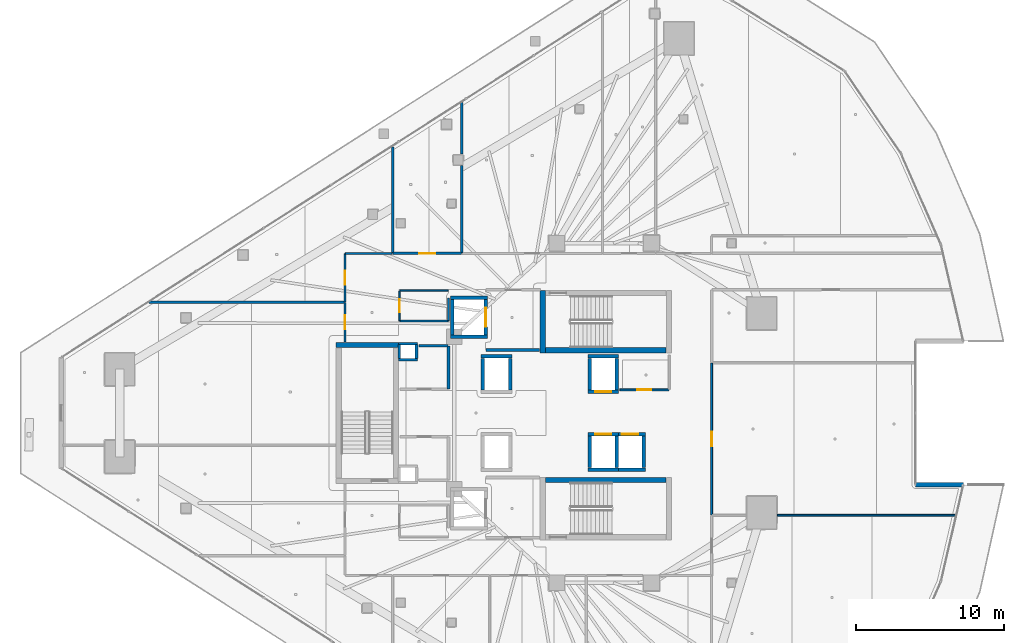
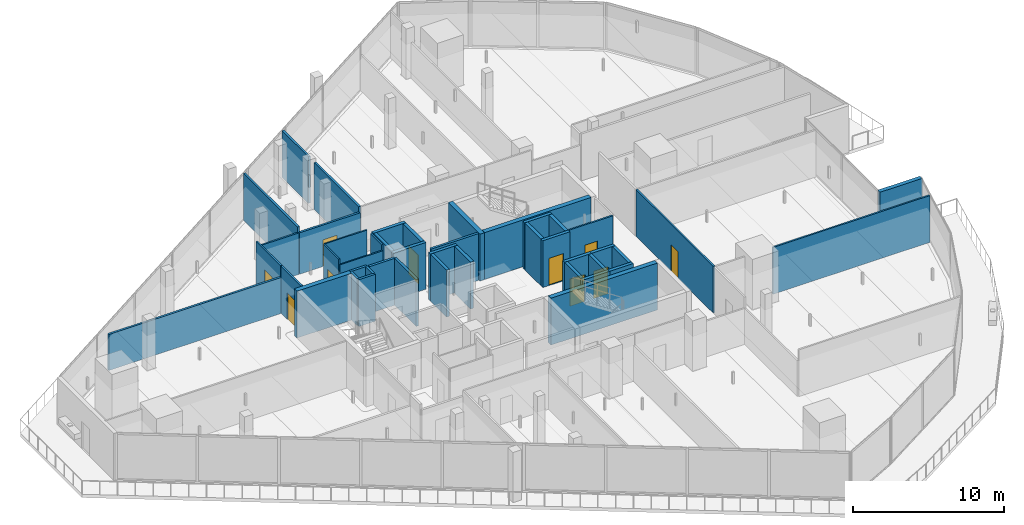
# One storey, part 25 of 38: 45 walls, 10 doors, 10 openings.
"""IFC4 building model written with IfcOpenShell, lengths in metres."""

from ifc_helpers import new_model, si_unit, direction, frame, frame_2d, origin, place, context, subcontext, project, spatial, rectangle, extrude, material, layer, layer_set, type_object, element, fill, save


model = new_model("IFC4")

# Units and contexts
model_context = context("Model", 3, precision=1e-05, world=origin(), true_north=direction((0.0, 1.0)))
body_context = subcontext(model_context, "Body", "Model", "MODEL_VIEW")
ifc_project = project(units=[si_unit("LENGTHUNIT", "METRE"), si_unit("AREAUNIT", "SQUARE_METRE"), si_unit("VOLUMEUNIT", "CUBIC_METRE"), si_unit("PLANEANGLEUNIT", "RADIAN"), si_unit("MASSUNIT", "GRAM", prefix="KILO")], contexts=[model_context])

# Site, building, storey
site_placement = place(None, origin())
site = spatial("IfcSite", under=ifc_project, at=site_placement, CompositionType="ELEMENT")
building_placement = place(site_placement, origin())
building = spatial("IfcBuilding", under=site, at=building_placement, Name="Qorvath Tower", CompositionType="ELEMENT")
storey_placement = place(building_placement, frame((0.0, 0.0, 146.25)))
storey = spatial("IfcBuildingStorey", under=building, at=storey_placement, Name="L33", CompositionType="ELEMENT", Elevation=146.25)

# Walls
ifc_material_1 = material(Name="Gypsum shaftliner on steel studs", Category="steel")
ifc_layer_1 = layer(ifc_material_1, 0.179931640625)
ifc_layer_set_1 = layer_set([ifc_layer_1], Name="FW-LOBBY")
wall_type_1 = type_object("IfcWallType", Name="FW-LOBBY", PredefinedType="PARTITIONING", material=ifc_layer_set_1)
for number, where, z_axis, x_axis, name in (
    (1, (-32.989990234375, 3.594970703125, 0.0), (0.0, 0.0, 1.0), (-1.0, 0.0, 0.0), "MEP Riser Shaft Enclosure Wall N-L33-S"),
    (2, (-34.260009765625, 4.675048828125, 0.0), (0.0, 0.0, 1.0), (1.0, 0.0, 0.0), "MEP Riser Shaft Enclosure Wall N-L33-N"),
):
    element("IfcWall", number, at=place(storey_placement, frame(where, z_axis=z_axis, x_axis=x_axis)), inside=storey, type_object=wall_type_1, Name=name, PredefinedType="PARTITIONING", context=body_context, shape_type="SweptSolid", body=[
        extrude(rectangle(XDim=1.27001953125, YDim=0.179931640625, at=frame_2d((0.635009765625, 0.0))), origin(), (0.0, 0.0, 1.0), 3.780029296875),
    ])
for number, where, z_axis, x_axis, name in (
    (3, (-34.205078125, 3.659912109375, 0.0), (0.0, 0.0, 1.0), (0.0, 1.0, 0.0), "MEP Riser Shaft Enclosure Wall N-L33-W"),
    (4, (-33.044921875, 4.610107421875, 0.0), (0.0, 0.0, 1.0), (0.0, -1.0, 0.0), "MEP Riser Shaft Enclosure Wall N-L33-E"),
):
    element("IfcWall", number, at=place(storey_placement, frame(where, z_axis=z_axis, x_axis=x_axis)), inside=storey, type_object=wall_type_1, Name=name, PredefinedType="PARTITIONING", context=body_context, shape_type="SweptSolid", body=[
        extrude(rectangle(XDim=0.9501953125, YDim=0.179931640625, at=frame_2d((0.47509765625, 0.0))), origin(), (0.0, 0.0, 1.0), 3.780029296875),
    ])
wall_1_placement = place(storey_placement, frame((-28.35498046875, 4.25, 0.0), z_axis=(0.0, 0.0, 1.0), x_axis=(1.0, 0.0, 0.0)))
element("IfcWall", 5, at=wall_1_placement, inside=storey, type_object=wall_type_1, Name="Interior Partition IW-T1-L33-001", PredefinedType="PARTITIONING", context=body_context, shape_type="SweptSolid", body=[
    extrude(rectangle(XDim=3.6220703125, YDim=0.179931640625, at=frame_2d((1.81103515625, 0.0))), origin(), (0.0, 0.0, 1.0), 3.780029296875),
])
wall_2_placement = place(storey_placement, frame((-30.8798828125, 1.625, 0.0), z_axis=(0.0, 0.0, 1.0), x_axis=(0.0, 1.0, 0.0)))
element("IfcWall", 6, at=wall_2_placement, inside=storey, type_object=wall_type_1, Name="Interior Partition IW-T1-L33-016", PredefinedType="PARTITIONING", context=body_context, shape_type="SweptSolid", body=[
    extrude(rectangle(XDim=2.889892578125, YDim=0.179931640625, at=frame_2d((1.44482421875, 0.0))), origin(), (0.0, 0.0, 1.0), 3.780029296875),
])
wall_3_placement = place(storey_placement, frame((-30.90478515625, 4.5400390625, 0.0), z_axis=(0.0, 0.0, 1.0), x_axis=(-1.0, 0.0, 0.0)))
element("IfcWall", 7, at=wall_3_placement, inside=storey, type_object=wall_type_1, Name="Interior Partition IW-T1-L33-017", PredefinedType="PARTITIONING", context=body_context, shape_type="SweptSolid", body=[
    extrude(rectangle(XDim=1.97509765625, YDim=0.179931640625, at=frame_2d((0.987548828125, 0.0))), origin(), (0.0, 0.0, 1.0), 3.780029296875),
])

# Wall, opening, door
ifc_material_2 = material(Name="Double acoustic gypsum board on steel studs", Category="steel")
ifc_layer_2 = layer(ifc_material_2, 0.159912109375)
ifc_layer_set_2 = layer_set([ifc_layer_2], Name="IW-ACOUSTIC-160")
wall_type_2 = type_object("IfcWallType", Name="IW-ACOUSTIC-160", PredefinedType="PARTITIONING", material=ifc_layer_set_2)
wall_4_placement = place(storey_placement, frame((-34.625, 10.758056640625, 0.0), z_axis=(0.0, 0.0, 1.0), x_axis=(1.0, 0.0, 0.0)))
wall_4 = element("IfcWall", 8, at=wall_4_placement, inside=storey, type_object=wall_type_2, Name="Interior Partition IW-T1-L33-021", PredefinedType="PARTITIONING", context=body_context, shape_type="SweptSolid", body=[
    extrude(rectangle(XDim=4.62109375, YDim=0.159912109375, at=frame_2d((2.310546875, 0.0))), origin(), (0.0, 0.0, 1.0), 3.34375),
])
opening_1_placement = place(wall_4_placement, frame((1.760498046875, 0.0, 0.0)))
opening_1 = element("IfcOpeningElement", 9, at=opening_1_placement, cuts=wall_4, Name="Opening D-T1-L33-06", PredefinedType="OPENING", context=body_context, shape_type="SweptSolid", body=[
    extrude(rectangle(XDim=1.10009765625, YDim=2.14990234375, at=frame_2d((0.550048828125, 1.074951171875))), frame((0.0, 0.08984375, 0.0), z_axis=(0.0, -1.0, 0.0), x_axis=(1.0, 0.0, 0.0)), (0.0, 0.0, 1.0), 0.179931640625),
])
ifc_material_3 = material(Name="Anodised aluminium acoustic framed glass", Category="aluminium")
door_type_1 = type_object("IfcDoorType", Name="D-03", OperationType="NOTDEFINED", PredefinedType="DOOR", material=ifc_material_3)
door_1_placement = place(opening_1_placement, origin())
door_1 = element("IfcDoor", 10, at=door_1_placement, inside=storey, type_object=door_type_1, Name="L33-01 Client Services Office Door D-T1-L33-06", OperationType="SINGLE_SWING_RIGHT", OverallHeight=2.14990234375, OverallWidth=1.10009765625, PredefinedType="DOOR", context=body_context, shape_type="SweptSolid", body=[
    extrude(rectangle(XDim=1.10009765625, YDim=2.14990234375, at=frame_2d((0.550048828125, 1.074951171875))), frame((0.0, 0.02490234375, 0.0), z_axis=(0.0, -1.0, 0.0), x_axis=(1.0, 0.0, 0.0)), (0.0, 0.0, 1.0), 0.050048828125),
])
fill(opening_1, door_1)

# Walls
wall_5_placement = place(storey_placement, frame((-29.97900390625, 10.783203125, 0.0), z_axis=(0.0, 0.0, 1.0), x_axis=(0.0, 1.0, 0.0)))
element("IfcWall", 11, at=wall_5_placement, inside=storey, type_object=wall_type_2, Name="Interior Partition IW-T1-L33-022", PredefinedType="PARTITIONING", context=body_context, shape_type="SweptSolid", body=[
    extrude(rectangle(XDim=5.886474609375, YDim=0.159912109375, at=frame_2d((2.943359375, 0.0))), origin(), (0.0, 0.0, 1.0), 3.780029296875),
])
wall_6_placement = place(storey_placement, frame((-29.97900390625, 17.44970703125, 0.0), z_axis=(0.0, 0.0, 1.0), x_axis=(0.0, 1.0, 0.0)))
element("IfcWall", 12, at=wall_6_placement, inside=storey, type_object=wall_type_2, Name="Interior Partition IW-T1-L33-023", PredefinedType="PARTITIONING", context=body_context, shape_type="SweptSolid", body=[
    extrude(rectangle(XDim=3.47021484375, YDim=0.159912109375, at=frame_2d((1.735107421875, 0.0))), origin(), (0.0, 0.0, 1.0), 3.780029296875),
])
wall_7_placement = place(storey_placement, frame((-34.64990234375, 17.9345703125, 0.0), z_axis=(0.0, 0.0, 1.0), x_axis=(0.0, -1.0, 0.0)))
element("IfcWall", 13, at=wall_7_placement, inside=storey, type_object=wall_type_2, Name="Interior Partition IW-T1-L33-024", PredefinedType="PARTITIONING", context=body_context, shape_type="SweptSolid", body=[
    extrude(rectangle(XDim=7.1513671875, YDim=0.159912109375, at=frame_2d((3.57568359375, 0.0))), origin(), (0.0, 0.0, 1.0), 3.780029296875),
])

# Wall, opening, door
wall_8_placement = place(storey_placement, frame((-37.85791015625, 4.783203125, 0.0), z_axis=(0.0, 0.0, 1.0), x_axis=(0.0, 1.0, 0.0)))
wall_8 = element("IfcWall", 14, at=wall_8_placement, inside=storey, type_object=wall_type_2, Name="Interior Partition IW-T1-L33-057", PredefinedType="PARTITIONING", context=body_context, shape_type="SweptSolid", body=[
    extrude(rectangle(XDim=2.6513671875, YDim=0.159912109375, at=frame_2d((1.32568359375, 0.0))), origin(), (0.0, 0.0, 1.0), 3.780029296875),
])
opening_2_placement = place(wall_8_placement, frame((0.8505859375, 0.0, 0.0)))
opening_2 = element("IfcOpeningElement", 15, at=opening_2_placement, cuts=wall_8, Name="Opening D-T1-L33-18", PredefinedType="OPENING", context=body_context, shape_type="SweptSolid", body=[
    extrude(rectangle(XDim=0.949951171875, YDim=2.14990234375, at=frame_2d((0.47509765625, 1.074951171875))), frame((0.0, 0.08984375, 0.0), z_axis=(0.0, -1.0, 0.0), x_axis=(1.0, 0.0, 0.0)), (0.0, 0.0, 1.0), 0.179931640625),
])
ifc_material_4 = material(Name="Solid-core American white oak veneer", Category="wood")
door_type_2 = type_object("IfcDoorType", Name="D-01", OperationType="NOTDEFINED", PredefinedType="DOOR", material=ifc_material_4)
door_2_placement = place(opening_2_placement, origin())
door_2 = element("IfcDoor", 16, at=door_2_placement, inside=storey, type_object=door_type_2, Name="L33-13 Staff Wellness Studio Door D-T1-L33-18", OperationType="SINGLE_SWING_RIGHT", OverallHeight=2.14990234375, OverallWidth=0.949951171875, PredefinedType="DOOR", context=body_context, shape_type="SweptSolid", body=[
    extrude(rectangle(XDim=0.949951171875, YDim=2.14990234375, at=frame_2d((0.47509765625, 1.074951171875))), frame((0.0, 0.02490234375, 0.0), z_axis=(0.0, -1.0, 0.0), x_axis=(1.0, 0.0, 0.0)), (0.0, 0.0, 1.0), 0.050048828125),
])
fill(opening_2, door_2)

# Wall
wall_9_placement = place(storey_placement, frame((-37.8828125, 7.45947265625, 0.0), z_axis=(0.0, 0.0, 1.0), x_axis=(-1.0, 0.0, 0.0)))
element("IfcWall", 17, at=wall_9_placement, inside=storey, type_object=wall_type_2, Name="Interior Partition IW-T1-L33-058", PredefinedType="PARTITIONING", context=body_context, shape_type="SweptSolid", body=[
    extrude(rectangle(XDim=13.201904296875, YDim=0.159912109375, at=frame_2d((6.60107421875, 0.0))), origin(), (0.0, 0.0, 1.0), 2.89990234375),
])

# Wall, opening, door
ifc_material_5 = material(Name="Gypsum board on metal studs with mineral wool", Category="gypsum")
ifc_layer_3 = layer(ifc_material_5, 0.125)
ifc_layer_set_3 = layer_set([ifc_layer_3], Name="IW-PART-125")
wall_type_3 = type_object("IfcWallType", Name="IW-PART-125", PredefinedType="PARTITIONING", material=ifc_layer_set_3)
wall_10_placement = place(storey_placement, frame((-19.333740234375, 1.56005859375, 0.0), z_axis=(0.0, 0.0, 1.0), x_axis=(1.0, 0.0, 0.0)))
wall_10 = element("IfcWall", 18, at=wall_10_placement, inside=storey, type_object=wall_type_3, Name="Interior Partition IW-T1-L33-013", PredefinedType="PARTITIONING", context=body_context, shape_type="SweptSolid", body=[
    extrude(rectangle(XDim=3.308837890625, YDim=0.125, at=frame_2d((1.654296875, 0.0))), origin(), (0.0, 0.0, 1.0), 3.780029296875),
])
opening_3_placement = place(wall_10_placement, frame((1.179443359375, 0.0, 0.0)))
opening_3 = element("IfcOpeningElement", 19, at=opening_3_placement, cuts=wall_10, Name="Opening D-T1-L33-03", PredefinedType="OPENING", context=body_context, shape_type="SweptSolid", body=[
    extrude(rectangle(XDim=0.949951171875, YDim=2.14990234375, at=frame_2d((0.47509765625, 1.074951171875))), frame((0.0, 0.072509765625, 0.0), z_axis=(0.0, -1.0, 0.0), x_axis=(1.0, 0.0, 0.0)), (0.0, 0.0, 1.0), 0.14501953125),
])
door_3_placement = place(opening_3_placement, origin())
door_3 = element("IfcDoor", 20, at=door_3_placement, inside=storey, type_object=door_type_2, Name="L33-RCN North Staff Refreshment Pantry Door D-T1-L33-03", OperationType="SINGLE_SWING_LEFT", OverallHeight=2.14990234375, OverallWidth=0.949951171875, PredefinedType="DOOR", context=body_context, shape_type="SweptSolid", body=[
    extrude(rectangle(XDim=0.949951171875, YDim=2.14990234375, at=frame_2d((0.47509765625, 1.074951171875))), frame((0.0, 0.02490234375, 0.0), z_axis=(0.0, -1.0, 0.0), x_axis=(1.0, 0.0, 0.0)), (0.0, 0.0, 1.0), 0.050048828125),
])
fill(opening_3, door_3)

# Wall
wall_11_placement = place(storey_placement, frame((3.270751953125, -6.896728515625, 0.0), z_axis=(0.0, 0.0, 1.0), x_axis=(-1.0, 0.0, 0.0)))
element("IfcWall", 21, at=wall_11_placement, inside=storey, type_object=wall_type_3, Name="Interior Partition IW-T1-L33-043", PredefinedType="PARTITIONING", context=body_context, shape_type="SweptSolid", body=[
    extrude(rectangle(XDim=11.97607421875, YDim=0.125, at=frame_2d((5.988037109375, 0.0))), origin(), (0.0, 0.0, 1.0), 3.780029296875),
])

# Wall, opening, door
wall_12_placement = place(storey_placement, frame((-13.14208984375, 3.35791015625, 0.0), z_axis=(0.0, 0.0, 1.0), x_axis=(0.0, -1.0, 0.0)))
wall_12 = element("IfcWall", 22, at=wall_12_placement, inside=storey, type_object=wall_type_3, Name="Interior Partition IW-T1-L33-047", PredefinedType="PARTITIONING", context=body_context, shape_type="SweptSolid", body=[
    extrude(rectangle(XDim=10.221923828125, YDim=0.125, at=frame_2d((5.11083984375, 0.0))), origin(), (0.0, 0.0, 1.0), 3.780029296875),
])
opening_4_placement = place(wall_12_placement, frame((4.635986328125, 0.0, 0.0)))
opening_4 = element("IfcOpeningElement", 23, at=opening_4_placement, cuts=wall_12, Name="Opening D-T1-L33-14", PredefinedType="OPENING", context=body_context, shape_type="SweptSolid", body=[
    extrude(rectangle(XDim=0.949951171875, YDim=2.14990234375, at=frame_2d((0.47509765625, 1.074951171875))), frame((0.0, 0.072509765625, 0.0), z_axis=(0.0, -1.0, 0.0), x_axis=(1.0, 0.0, 0.0)), (0.0, 0.0, 1.0), 0.14501953125),
])
door_4_placement = place(opening_4_placement, origin())
door_4 = element("IfcDoor", 24, at=door_4_placement, inside=storey, type_object=door_type_2, Name="L33-09 Open Workplace Studio Door D-T1-L33-14", OperationType="SINGLE_SWING_RIGHT", OverallHeight=2.14990234375, OverallWidth=0.949951171875, PredefinedType="DOOR", context=body_context, shape_type="SweptSolid", body=[
    extrude(rectangle(XDim=0.949951171875, YDim=2.14990234375, at=frame_2d((0.47509765625, 1.074951171875))), frame((0.0, 0.02490234375, 0.0), z_axis=(0.0, -1.0, 0.0), x_axis=(1.0, 0.0, 0.0)), (0.0, 0.0, 1.0), 0.050048828125),
])
fill(opening_4, door_4)

wall_13_placement = place(storey_placement, frame((-37.85791015625, 7.492431640625, 0.0), z_axis=(0.0, 0.0, 1.0), x_axis=(0.0, 1.0, 0.0)))
wall_13 = element("IfcWall", 25, at=wall_13_placement, inside=storey, type_object=wall_type_3, Name="Interior Partition IW-T1-L33-059", PredefinedType="PARTITIONING", context=body_context, shape_type="SweptSolid", body=[
    extrude(rectangle(XDim=3.24072265625, YDim=0.125, at=frame_2d((1.620361328125, 0.0))), origin(), (0.0, 0.0, 1.0), 3.780029296875),
])
opening_5_placement = place(wall_13_placement, frame((1.1455078125, 0.0, 0.0)))
opening_5 = element("IfcOpeningElement", 26, at=opening_5_placement, cuts=wall_13, Name="Opening D-T1-L33-19", PredefinedType="OPENING", context=body_context, shape_type="SweptSolid", body=[
    extrude(rectangle(XDim=0.949951171875, YDim=2.14990234375, at=frame_2d((0.47509765625, 1.074951171875))), frame((0.0, 0.072509765625, 0.0), z_axis=(0.0, -1.0, 0.0), x_axis=(1.0, 0.0, 0.0)), (0.0, 0.0, 1.0), 0.14501953125),
])
door_5_placement = place(opening_5_placement, origin())
door_5 = element("IfcDoor", 27, at=door_5_placement, inside=storey, type_object=door_type_2, Name="L33-14 Design Pin-Up Atelier Door D-T1-L33-19", OperationType="SINGLE_SWING_LEFT", OverallHeight=2.14990234375, OverallWidth=0.949951171875, PredefinedType="DOOR", context=body_context, shape_type="SweptSolid", body=[
    extrude(rectangle(XDim=0.949951171875, YDim=2.14990234375, at=frame_2d((0.47509765625, 1.074951171875))), frame((0.0, 0.02490234375, 0.0), z_axis=(0.0, -1.0, 0.0), x_axis=(1.0, 0.0, 0.0)), (0.0, 0.0, 1.0), 0.050048828125),
])
fill(opening_5, door_5)

# Wall
wall_14_placement = place(storey_placement, frame((-37.8330078125, 10.758056640625, 0.0), z_axis=(0.0, 0.0, 1.0), x_axis=(1.0, 0.0, 0.0)))
element("IfcWall", 28, at=wall_14_placement, inside=storey, type_object=wall_type_3, Name="Interior Partition IW-T1-L33-060", PredefinedType="PARTITIONING", context=body_context, shape_type="SweptSolid", body=[
    extrude(rectangle(XDim=3.14990234375, YDim=0.125, at=frame_2d((1.574951171875, 0.0))), origin(), (0.0, 0.0, 1.0), 3.34375),
])

# Wall, opening, door
ifc_material_6 = material(Name="Moisture-resistant cement board on metal studs", Category="gypsum")
ifc_layer_4 = layer(ifc_material_6, 0.110107421875)
ifc_layer_set_4 = layer_set([ifc_layer_4], Name="IW-WC-110")
wall_type_4 = type_object("IfcWallType", Name="IW-WC-110", PredefinedType="PARTITIONING", material=ifc_layer_set_4)
wall_15_placement = place(storey_placement, frame((-34.179931640625, 8.22509765625, 0.0), z_axis=(0.0, 0.0, 1.0), x_axis=(0.0, -1.0, 0.0)))
wall_15 = element("IfcWall", 29, at=wall_15_placement, inside=storey, type_object=wall_type_4, Name="Interior Partition IW-T1-L33-005", PredefinedType="PARTITIONING", context=body_context, shape_type="SweptSolid", body=[
    extrude(rectangle(XDim=2.0, YDim=0.110107421875, at=frame_2d((1.0, 0.0))), origin(), (0.0, 0.0, 1.0), 3.780029296875),
])
opening_6_placement = place(wall_15_placement, frame((0.56005859375, 0.0, 0.0)))
opening_6 = element("IfcOpeningElement", 30, at=opening_6_placement, cuts=wall_15, Name="Opening D-T1-L33-01", PredefinedType="OPENING", context=body_context, shape_type="SweptSolid", body=[
    extrude(rectangle(XDim=0.8798828125, YDim=2.10009765625, at=frame_2d((0.43994140625, 1.050048828125))), frame((0.0, 0.06494140625, 0.0), z_axis=(0.0, -1.0, 0.0), x_axis=(1.0, 0.0, 0.0)), (0.0, 0.0, 1.0), 0.130126953125),
])
ifc_material_7 = material(Name="Solid-core oak with acoustic drop seal", Category="wood")
door_type_3 = type_object("IfcDoorType", Name="D-02", OperationType="NOTDEFINED", PredefinedType="DOOR", material=ifc_material_7)
door_6_placement = place(opening_6_placement, origin())
door_6 = element("IfcDoor", 31, at=door_6_placement, inside=storey, type_object=door_type_3, Name="WC All-Gender North L33 Door D-T1-L33-01", OperationType="SINGLE_SWING_LEFT", OverallHeight=2.10009765625, OverallWidth=0.8798828125, PredefinedType="DOOR", context=body_context, shape_type="SweptSolid", body=[
    extrude(rectangle(XDim=0.8798828125, YDim=2.10009765625, at=frame_2d((0.43994140625, 1.050048828125))), frame((0.0, 0.02490234375, 0.0), z_axis=(0.0, -1.0, 0.0), x_axis=(1.0, 0.0, 0.0)), (0.0, 0.0, 1.0), 0.050048828125),
])
fill(opening_6, door_6)

# Walls
wall_16_placement = place(storey_placement, frame((-34.15478515625, 6.199951171875, 0.0), z_axis=(0.0, 0.0, 1.0), x_axis=(1.0, 0.0, 0.0)))
element("IfcWall", 32, at=wall_16_placement, inside=storey, type_object=wall_type_4, Name="Interior Partition IW-T1-L33-006", PredefinedType="PARTITIONING", context=body_context, shape_type="SweptSolid", body=[
    extrude(rectangle(XDim=3.25, YDim=0.110107421875, at=frame_2d((1.625, 0.0))), origin(), (0.0, 0.0, 1.0), 3.34375),
])
wall_17_placement = place(storey_placement, frame((-30.8798828125, 6.22509765625, 0.0), z_axis=(0.0, 0.0, 1.0), x_axis=(0.0, 1.0, 0.0)))
element("IfcWall", 33, at=wall_17_placement, inside=storey, type_object=wall_type_4, Name="Interior Partition IW-T1-L33-007", PredefinedType="PARTITIONING", context=body_context, shape_type="SweptSolid", body=[
    extrude(rectangle(XDim=1.517822265625, YDim=0.110107421875, at=frame_2d((0.7587890625, 0.0))), origin(), (0.0, 0.0, 1.0), 3.780029296875),
])
wall_18_placement = place(storey_placement, frame((-30.90478515625, 8.25, 0.0), z_axis=(0.0, 0.0, 1.0), x_axis=(-1.0, 0.0, 0.0)))
element("IfcWall", 34, at=wall_18_placement, inside=storey, type_object=wall_type_4, Name="Interior Partition IW-T1-L33-008", PredefinedType="PARTITIONING", context=body_context, shape_type="SweptSolid", body=[
    extrude(rectangle(XDim=3.25, YDim=0.110107421875, at=frame_2d((1.625, 0.0))), origin(), (0.0, 0.0, 1.0), 3.780029296875),
])
ifc_material_8 = material(Name="Concrete C60/75", Category="concrete")
ifc_layer_5 = layer(ifc_material_8, 0.260009765625)
ifc_layer_set_5 = layer_set([ifc_layer_5], Name="SW-SHAFT")
wall_type_5 = type_object("IfcWallType", Name="SW-SHAFT", PredefinedType="SHEAR", material=ifc_layer_set_5)
for number, where, z_axis, x_axis, name in (
    (35, (-28.260009765625, 5.1298828125, 0.0), (0.0, 0.0, 1.0), (-1.0, 0.0, 0.0), "Hoistway Wall FSAE-1 L33 S"),
    (36, (-30.739990234375, 7.77001953125, 0.0), (0.0, 0.0, 1.0), (1.0, 0.0, 0.0), "Hoistway Wall FSAE-1 L33 N"),
):
    element("IfcWall", number, at=place(storey_placement, frame(where, z_axis=z_axis, x_axis=x_axis)), inside=storey, type_object=wall_type_5, Name=name, PredefinedType="SHEAR", context=body_context, shape_type="SweptSolid", body=[
        extrude(rectangle(XDim=2.47998046875, YDim=0.239990234375, at=frame_2d((1.239990234375, 0.0))), origin(), (0.0, 0.0, 1.0), 3.780029296875),
    ])
wall_19_placement = place(storey_placement, frame((-30.6201171875, 5.261962890625, 0.0), z_axis=(0.0, 0.0, 1.0), x_axis=(0.0, 1.0, 0.0)))
element("IfcWall", 37, at=wall_19_placement, inside=storey, type_object=wall_type_5, Name="Hoistway Wall FSAE-1 L33 W", PredefinedType="SHEAR", context=body_context, shape_type="SweptSolid", body=[
    extrude(rectangle(XDim=2.3759765625, YDim=0.239990234375, at=frame_2d((1.18798828125, 0.0))), origin(), (0.0, 0.0, 1.0), 3.780029296875),
])

# Wall, opening, door
wall_20_placement = place(storey_placement, frame((-28.3798828125, 7.637939453125, 0.0), z_axis=(0.0, 0.0, 1.0), x_axis=(0.0, -1.0, 0.0)))
wall_20 = element("IfcWall", 38, at=wall_20_placement, inside=storey, type_object=wall_type_5, Name="Hoistway Wall FSAE-1 L33 E", PredefinedType="SHEAR", context=body_context, shape_type="SweptSolid", body=[
    extrude(rectangle(XDim=2.3759765625, YDim=0.239990234375, at=frame_2d((1.18798828125, 0.0))), origin(), (0.0, 0.0, 1.0), 3.780029296875),
])
opening_7_placement = place(wall_20_placement, frame((0.537841796875, 0.0, 0.0)))
opening_7 = element("IfcOpeningElement", 39, at=opening_7_placement, cuts=wall_20, Name="Opening LD-FSAE-1-L33", PredefinedType="OPENING", context=body_context, shape_type="SweptSolid", body=[
    extrude(rectangle(XDim=1.300048828125, YDim=2.300048828125, at=frame_2d((0.64990234375, 1.14990234375))), frame((0.0, 0.1298828125, 0.0), z_axis=(0.0, -1.0, 0.0), x_axis=(1.0, 0.0, 0.0)), (0.0, 0.0, 1.0), 0.260009765625),
])
ifc_material_9 = material(Name="Brushed stainless steel AISI 316", Category="steel")
door_type_4 = type_object("IfcDoorType", Name="LD-02", OperationType="NOTDEFINED", PredefinedType="DOOR", material=ifc_material_9)
door_7_placement = place(opening_7_placement, origin())
door_7 = element("IfcDoor", 40, at=door_7_placement, inside=storey, type_object=door_type_4, Name="Elevator Landing Sliding Door LD-FSAE-1-L33", OperationType="DOUBLE_DOOR_SLIDING", OverallHeight=2.300048828125, OverallWidth=1.300048828125, PredefinedType="DOOR", context=body_context, shape_type="SweptSolid", body=[
    extrude(rectangle(XDim=1.300048828125, YDim=2.300048828125, at=frame_2d((0.64990234375, 1.14990234375))), frame((0.0, 0.02490234375, 0.0), z_axis=(0.0, -1.0, 0.0), x_axis=(1.0, 0.0, 0.0)), (0.0, 0.0, 1.0), 0.050048828125),
])
fill(opening_7, door_7)

# Walls
wall_21_placement = place(storey_placement, frame((-28.68994140625, 3.820068359375, 0.0), z_axis=(0.0, 0.0, 1.0), x_axis=(1.0, 0.0, 0.0)))
element("IfcWall", 41, at=wall_21_placement, inside=storey, type_object=wall_type_5, Name="Hoistway Wall PS-1 L33 N", PredefinedType="SHEAR", context=body_context, shape_type="SweptSolid", body=[
    extrude(rectangle(XDim=2.079833984375, YDim=0.239990234375, at=frame_2d((1.0400390625, 0.0))), origin(), (0.0, 0.0, 1.0), 3.780029296875),
])
for number, where, z_axis, x_axis, name in (
    (42, (-28.570068359375, 1.56201171875, 0.0), (0.0, 0.0, 1.0), (0.0, 1.0, 0.0), "Hoistway Wall PS-1 L33 W"),
    (43, (-26.72998046875, 3.68798828125, 0.0), (0.0, 0.0, 1.0), (0.0, -1.0, 0.0), "Hoistway Wall PS-1 L33 E"),
):
    element("IfcWall", number, at=place(storey_placement, frame(where, z_axis=z_axis, x_axis=x_axis)), inside=storey, type_object=wall_type_5, Name=name, PredefinedType="SHEAR", context=body_context, shape_type="SweptSolid", body=[
        extrude(rectangle(XDim=2.1259765625, YDim=0.239990234375, at=frame_2d((1.06298828125, 0.0))), origin(), (0.0, 0.0, 1.0), 3.780029296875),
    ])

# Wall, opening, door
wall_22_placement = place(storey_placement, frame((-19.409912109375, 1.429931640625, 0.0), z_axis=(0.0, 0.0, 1.0), x_axis=(-1.0, 0.0, 0.0)))
wall_22 = element("IfcWall", 44, at=wall_22_placement, inside=storey, type_object=wall_type_5, Name="Hoistway Wall PM-1 L33 S", PredefinedType="SHEAR", context=body_context, shape_type="SweptSolid", body=[
    extrude(rectangle(XDim=2.080078125, YDim=0.239990234375, at=frame_2d((1.0400390625, 0.0))), origin(), (0.0, 0.0, 1.0), 3.780029296875),
])
opening_8_placement = place(wall_22_placement, frame((0.489990234375, 0.0, 0.0)))
opening_8 = element("IfcOpeningElement", 45, at=opening_8_placement, cuts=wall_22, Name="Opening LD-PM-1-L33", PredefinedType="OPENING", context=body_context, shape_type="SweptSolid", body=[
    extrude(rectangle(XDim=1.10009765625, YDim=2.199951171875, at=frame_2d((0.550048828125, 1.10009765625))), frame((0.0, 0.1298828125, 0.0), z_axis=(0.0, -1.0, 0.0), x_axis=(1.0, 0.0, 0.0)), (0.0, 0.0, 1.0), 0.260009765625),
])
ifc_material_10 = material(Name="Brushed stainless steel AISI 316", Category="steel")
door_type_5 = type_object("IfcDoorType", Name="LD-01", OperationType="NOTDEFINED", PredefinedType="DOOR", material=ifc_material_10)
door_8_placement = place(opening_8_placement, origin())
door_8 = element("IfcDoor", 46, at=door_8_placement, inside=storey, type_object=door_type_5, Name="Elevator Landing Sliding Door LD-PM-1-L33", OperationType="DOUBLE_DOOR_SLIDING", OverallHeight=2.199951171875, OverallWidth=1.10009765625, PredefinedType="DOOR", context=body_context, shape_type="SweptSolid", body=[
    extrude(rectangle(XDim=1.10009765625, YDim=2.199951171875, at=frame_2d((0.550048828125, 1.10009765625))), frame((0.0, 0.02490234375, 0.0), z_axis=(0.0, -1.0, 0.0), x_axis=(1.0, 0.0, 0.0)), (0.0, 0.0, 1.0), 0.050048828125),
])
fill(opening_8, door_8)

# Walls
wall_23_placement = place(storey_placement, frame((-21.489990234375, 3.820068359375, 0.0), z_axis=(0.0, 0.0, 1.0), x_axis=(1.0, 0.0, 0.0)))
element("IfcWall", 47, at=wall_23_placement, inside=storey, type_object=wall_type_5, Name="Hoistway Wall PM-1 L33 N", PredefinedType="SHEAR", context=body_context, shape_type="SweptSolid", body=[
    extrude(rectangle(XDim=2.080078125, YDim=0.239990234375, at=frame_2d((1.0400390625, 0.0))), origin(), (0.0, 0.0, 1.0), 3.780029296875),
])
for number, where, z_axis, x_axis, name in (
    (48, (-21.3701171875, 1.56201171875, 0.0), (0.0, 0.0, 1.0), (0.0, 1.0, 0.0), "Hoistway Wall PM-1 L33 W"),
    (49, (-19.530029296875, 3.68798828125, 0.0), (0.0, 0.0, 1.0), (0.0, -1.0, 0.0), "Hoistway Wall PM-1 L33 E"),
):
    element("IfcWall", number, at=place(storey_placement, frame(where, z_axis=z_axis, x_axis=x_axis)), inside=storey, type_object=wall_type_5, Name=name, PredefinedType="SHEAR", context=body_context, shape_type="SweptSolid", body=[
        extrude(rectangle(XDim=2.1259765625, YDim=0.239990234375, at=frame_2d((1.06298828125, 0.0))), origin(), (0.0, 0.0, 1.0), 3.780029296875),
    ])
wall_24_placement = place(storey_placement, frame((-19.409912109375, -3.820068359375, 0.0), z_axis=(0.0, 0.0, 1.0), x_axis=(-1.0, 0.0, 0.0)))
element("IfcWall", 50, at=wall_24_placement, inside=storey, type_object=wall_type_5, Name="Hoistway Wall PM-2 L33 S", PredefinedType="SHEAR", context=body_context, shape_type="SweptSolid", body=[
    extrude(rectangle(XDim=2.080078125, YDim=0.239990234375, at=frame_2d((1.0400390625, 0.0))), origin(), (0.0, 0.0, 1.0), 3.780029296875),
])

# Wall, opening, door
wall_25_placement = place(storey_placement, frame((-21.489990234375, -1.429931640625, 0.0), z_axis=(0.0, 0.0, 1.0), x_axis=(1.0, 0.0, 0.0)))
wall_25 = element("IfcWall", 51, at=wall_25_placement, inside=storey, type_object=wall_type_5, Name="Hoistway Wall PM-2 L33 N", PredefinedType="SHEAR", context=body_context, shape_type="SweptSolid", body=[
    extrude(rectangle(XDim=2.080078125, YDim=0.239990234375, at=frame_2d((1.0400390625, 0.0))), origin(), (0.0, 0.0, 1.0), 3.780029296875),
])
opening_9_placement = place(wall_25_placement, frame((0.489990234375, 0.0, 0.0)))
opening_9 = element("IfcOpeningElement", 52, at=opening_9_placement, cuts=wall_25, Name="Opening LD-PM-2-L33", PredefinedType="OPENING", context=body_context, shape_type="SweptSolid", body=[
    extrude(rectangle(XDim=1.10009765625, YDim=2.199951171875, at=frame_2d((0.550048828125, 1.10009765625))), frame((0.0, 0.1298828125, 0.0), z_axis=(0.0, -1.0, 0.0), x_axis=(1.0, 0.0, 0.0)), (0.0, 0.0, 1.0), 0.260009765625),
])
door_9_placement = place(opening_9_placement, origin())
door_9 = element("IfcDoor", 53, at=door_9_placement, inside=storey, type_object=door_type_5, Name="Elevator Landing Sliding Door LD-PM-2-L33", OperationType="DOUBLE_DOOR_SLIDING", OverallHeight=2.199951171875, OverallWidth=1.10009765625, PredefinedType="DOOR", context=body_context, shape_type="SweptSolid", body=[
    extrude(rectangle(XDim=1.10009765625, YDim=2.199951171875, at=frame_2d((0.550048828125, 1.10009765625))), frame((0.0, 0.02490234375, 0.0), z_axis=(0.0, -1.0, 0.0), x_axis=(1.0, 0.0, 0.0)), (0.0, 0.0, 1.0), 0.050048828125),
])
fill(opening_9, door_9)

# Walls
for number, where, z_axis, x_axis, name in (
    (54, (-21.3701171875, -3.68798828125, 0.0), (0.0, 0.0, 1.0), (0.0, 1.0, 0.0), "Hoistway Wall PM-2 L33 W"),
    (55, (-19.530029296875, -1.56201171875, 0.0), (0.0, 0.0, 1.0), (0.0, -1.0, 0.0), "Hoistway Wall PM-2 L33 E"),
):
    element("IfcWall", number, at=place(storey_placement, frame(where, z_axis=z_axis, x_axis=x_axis)), inside=storey, type_object=wall_type_5, Name=name, PredefinedType="SHEAR", context=body_context, shape_type="SweptSolid", body=[
        extrude(rectangle(XDim=2.1259765625, YDim=0.239990234375, at=frame_2d((1.06298828125, 0.0))), origin(), (0.0, 0.0, 1.0), 3.780029296875),
    ])
wall_26_placement = place(storey_placement, frame((-17.610107421875, -3.820068359375, 0.0), z_axis=(0.0, 0.0, 1.0), x_axis=(-1.0, 0.0, 0.0)))
element("IfcWall", 56, at=wall_26_placement, inside=storey, type_object=wall_type_5, Name="Hoistway Wall PM-3 L33 S", PredefinedType="SHEAR", context=body_context, shape_type="SweptSolid", body=[
    extrude(rectangle(XDim=1.7998046875, YDim=0.239990234375, at=frame_2d((0.89990234375, 0.0))), origin(), (0.0, 0.0, 1.0), 3.780029296875),
])

# Wall, opening, door
wall_27_placement = place(storey_placement, frame((-19.409912109375, -1.429931640625, 0.0), z_axis=(0.0, 0.0, 1.0), x_axis=(1.0, 0.0, 0.0)))
wall_27 = element("IfcWall", 57, at=wall_27_placement, inside=storey, type_object=wall_type_5, Name="Hoistway Wall PM-3 L33 N", PredefinedType="SHEAR", context=body_context, shape_type="SweptSolid", body=[
    extrude(rectangle(XDim=1.7998046875, YDim=0.239990234375, at=frame_2d((0.89990234375, 0.0))), origin(), (0.0, 0.0, 1.0), 3.780029296875),
])
opening_10_placement = place(wall_27_placement, frame((0.2099609375, 0.0, 0.0)))
opening_10 = element("IfcOpeningElement", 58, at=opening_10_placement, cuts=wall_27, Name="Opening LD-PM-3-L33", PredefinedType="OPENING", context=body_context, shape_type="SweptSolid", body=[
    extrude(rectangle(XDim=1.10009765625, YDim=2.199951171875, at=frame_2d((0.550048828125, 1.10009765625))), frame((0.0, 0.1298828125, 0.0), z_axis=(0.0, -1.0, 0.0), x_axis=(1.0, 0.0, 0.0)), (0.0, 0.0, 1.0), 0.260009765625),
])
door_10_placement = place(opening_10_placement, origin())
door_10 = element("IfcDoor", 59, at=door_10_placement, inside=storey, type_object=door_type_5, Name="Elevator Landing Sliding Door LD-PM-3-L33", OperationType="DOUBLE_DOOR_SLIDING", OverallHeight=2.199951171875, OverallWidth=1.10009765625, PredefinedType="DOOR", context=body_context, shape_type="SweptSolid", body=[
    extrude(rectangle(XDim=1.10009765625, YDim=2.199951171875, at=frame_2d((0.550048828125, 1.10009765625))), frame((0.0, 0.02490234375, 0.0), z_axis=(0.0, -1.0, 0.0), x_axis=(1.0, 0.0, 0.0)), (0.0, 0.0, 1.0), 0.050048828125),
])
fill(opening_10, door_10)

# Walls
wall_28_placement = place(storey_placement, frame((-17.72998046875, -1.56201171875, 0.0), z_axis=(0.0, 0.0, 1.0), x_axis=(0.0, -1.0, 0.0)))
element("IfcWall", 60, at=wall_28_placement, inside=storey, type_object=wall_type_5, Name="Hoistway Wall PM-3 L33 E", PredefinedType="SHEAR", context=body_context, shape_type="SweptSolid", body=[
    extrude(rectangle(XDim=2.1259765625, YDim=0.239990234375, at=frame_2d((1.06298828125, 0.0))), origin(), (0.0, 0.0, 1.0), 3.780029296875),
])
ifc_material_11 = material(Name="Concrete C60/75", Category="concrete")
ifc_layer_6 = layer(ifc_material_11, 0.35009765625)
ifc_layer_set_6 = layer_set([ifc_layer_6], Name="SW-STAIR")
wall_type_6 = type_object("IfcWallType", Name="SW-STAIR", PredefinedType="SHEAR", material=ifc_layer_set_6)
wall_29_placement = place(storey_placement, frame((-24.52490234375, 8.260009765625, 0.0), z_axis=(0.0, 0.0, 1.0), x_axis=(0.0, -1.0, 0.0)))
element("IfcWall", 61, at=wall_29_placement, inside=storey, type_object=wall_type_6, Name="Stair TS1 Shear Wall L33 NEAR", PredefinedType="SHEAR", context=body_context, shape_type="SweptSolid", body=[
    extrude(rectangle(XDim=4.2099609375, YDim=0.35009765625, at=frame_2d((2.10498046875, 0.0))), origin(), (0.0, 0.0, 1.0), 3.780029296875),
])
for number, where, z_axis, x_axis, name in (
    (62, (-24.3349609375, 4.22509765625, 0.0), (0.0, 0.0, 1.0), (1.0, 0.0, 0.0), "Stair TS1 Shear Wall L33 LEFT"),
    (63, (-16.215087890625, -4.514892578125, 0.0), (0.0, 0.0, 1.0), (-1.0, 0.0, 0.0), "Stair TS2 Shear Wall L33 RIGHT"),
):
    element("IfcWall", number, at=place(storey_placement, frame(where, z_axis=z_axis, x_axis=x_axis)), inside=storey, type_object=wall_type_6, Name=name, PredefinedType="SHEAR", context=body_context, shape_type="SweptSolid", body=[
        extrude(rectangle(XDim=8.119873046875, YDim=0.35009765625, at=frame_2d((4.06005859375, 0.0))), origin(), (0.0, 0.0, 1.0), 3.780029296875),
    ])
wall_30_placement = place(storey_placement, frame((-34.25, 4.574951171875, 0.0), z_axis=(0.0, 0.0, 1.0), x_axis=(-1.0, 0.0, 0.0)))
element("IfcWall", 64, at=wall_30_placement, inside=storey, type_object=wall_type_6, Name="Stair TS3 Shear Wall L33 FAR", PredefinedType="SHEAR", context=body_context, shape_type="SweptSolid", body=[
    extrude(rectangle(XDim=4.2099609375, YDim=0.35009765625, at=frame_2d((2.10498046875, 0.0))), origin(), (0.0, 0.0, 1.0), 3.780029296875),
])
ifc_material_12 = material(Name="Precast concrete C45/55", Category="concrete")
ifc_layer_7 = layer(ifc_material_12, 0.300048828125)
ifc_layer_set_7 = layer_set([ifc_layer_7], Name="WL-EW-LOG-300")
wall_type_7 = type_object("IfcWallType", Name="WL-EW-LOG-300", PredefinedType="SOLIDWALL", material=ifc_layer_set_7)
wall_31_placement = place(storey_placement, frame((3.8271484375, -4.83837890625, 0.0), z_axis=(0.0, 0.0, 1.0), x_axis=(-1.0, 0.0, 0.0)))
element("IfcWall", 65, at=wall_31_placement, inside=storey, type_object=wall_type_7, Name="Tower Precast Loggia Wall L33-8.1", PredefinedType="SOLIDWALL", context=body_context, shape_type="SweptSolid", body=[
    extrude(rectangle(XDim=3.2255859375, YDim=0.300048828125, at=frame_2d((1.61279296875, 0.0))), origin(), (0.0, 0.0, 1.0), 3.780029296875),
])

save(model, "model.ifc")
